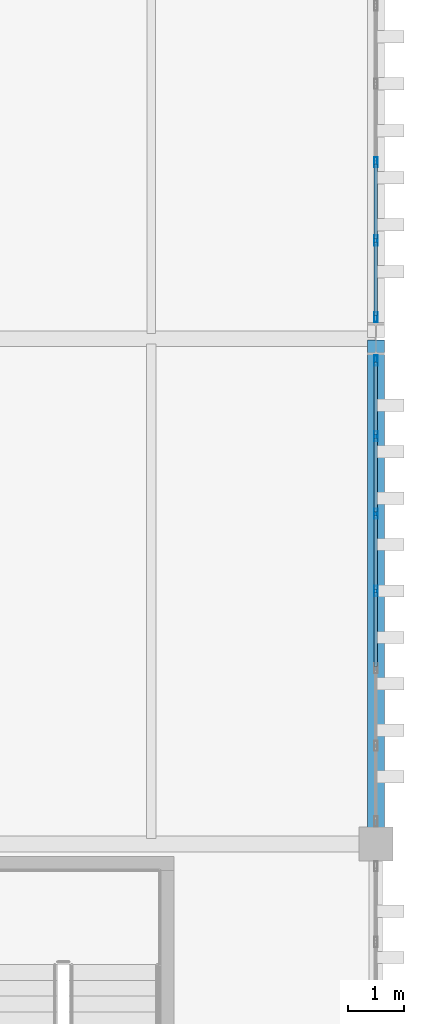
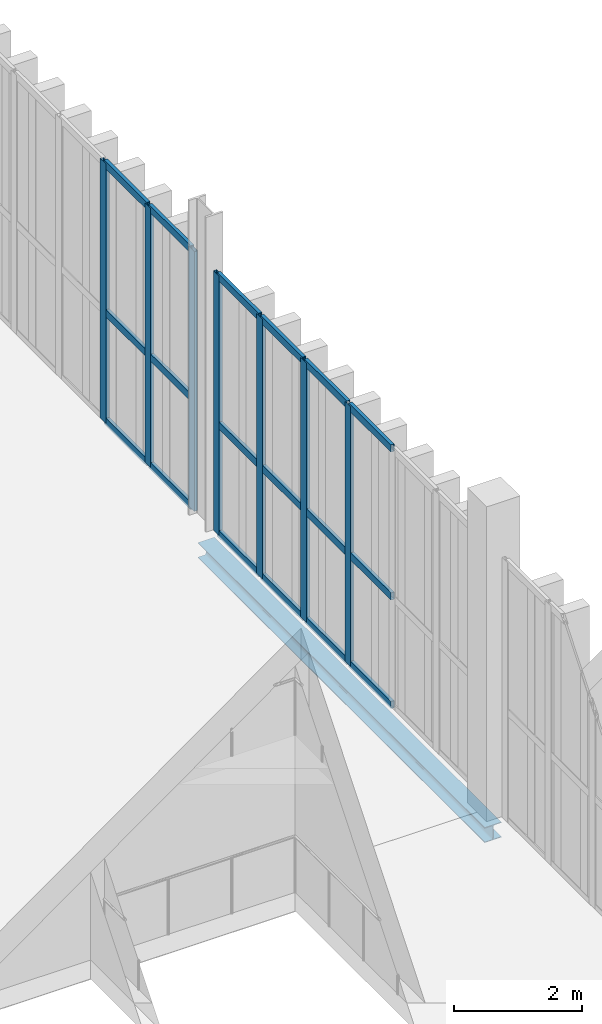
# One storey, part 131 of 211: 25 members, 1 beam, 2 elements without a shape of their own.
"""IFC4 building model written with IfcOpenShell, lengths in metres."""

from ifc_helpers import new_model, si_unit, direction, frame, origin, origin_2d, place, context, subcontext, project, spatial, hollow_rectangle, i_section, extrude, material, layer, layer_set, material_profile, profile_set, type_object, element, aggregate, save


model = new_model("IFC4")

# Units and contexts
model_context = context("Model", 3, precision=1e-05, world=origin(), true_north=direction((0.0, 1.0)))
body_context = subcontext(model_context, "Body", "Model", "MODEL_VIEW")
ifc_project = project(units=[si_unit("LENGTHUNIT", "METRE"), si_unit("AREAUNIT", "SQUARE_METRE"), si_unit("VOLUMEUNIT", "CUBIC_METRE"), si_unit("PLANEANGLEUNIT", "RADIAN"), si_unit("MASSUNIT", "GRAM", prefix="KILO")], contexts=[model_context])

# Site, building, storey
site_placement = place(None, origin())
site = spatial("IfcSite", under=ifc_project, at=site_placement, CompositionType="ELEMENT")
building_placement = place(site_placement, origin())
building = spatial("IfcBuilding", under=site, at=building_placement, Name="Barlavento Convention Centre", CompositionType="ELEMENT")
storey_placement = place(building_placement, frame((0.0, 0.0, 6.0)))
storey = spatial("IfcBuildingStorey", under=building, at=storey_placement, Name="L01", CompositionType="ELEMENT", Elevation=6.0)

# Curtain wall, members
ifc_material_1 = material(Name="Powder-coated aluminium and Low-E glass", Category="aluminium")
ifc_layer = layer(ifc_material_1, 0.195068359375)
ifc_layer_set = layer_set([ifc_layer], Name="ARC-CW-FOY-L01")
curtain_wall_type = type_object("IfcCurtainWallType", Name="ARC-CW-FOY-L01", PredefinedType="NOTDEFINED", material=ifc_layer_set)
curtain_wall_1_placement = place(storey_placement, origin())
curtain_wall_1 = element("IfcCurtainWall", 1, at=curtain_wall_1_placement, inside=storey, type_object=curtain_wall_type, Name="L01 unitised curtain wall CW03", PredefinedType="NOTDEFINED")
ifc_material_2 = material(Name="Powder-coated aluminium", Category="aluminium")
ifc_material_profile_1 = material_profile(ifc_material_2, hollow_rectangle(XDim=0.06005859375, YDim=0.179931640625, WallThickness=0.0048828125, at=origin_2d()), Name="AL-MULL 60x180x5")
ifc_profile_set_1 = profile_set([ifc_material_profile_1], Name="Powder-coated aluminium")
member_type_1 = type_object("IfcMemberType", Name="ARC-CWM-60X180", PredefinedType="MULLION", material=ifc_profile_set_1)
member_1_placement = place(storey_placement, frame((192.0, 103.507080078125, 0.0), z_axis=(0.0, 0.0, 1.0), x_axis=(-1.0, 0.0, 0.0)))
member_1 = element("IfcMember", 2, at=member_1_placement, type_object=member_type_1, Name="CW03 mullion 4", PredefinedType="MULLION", context=body_context, shape_type="SweptSolid", body=[
    extrude(hollow_rectangle(XDim=0.06005859375, YDim=0.179931640625, WallThickness=0.0048828125, at=origin_2d()), origin(), (0.0, 0.0, 1.0), 4.949951171875),
])
member_2_placement = place(storey_placement, frame((192.0, 104.885986328125, 0.0), z_axis=(0.0, 0.0, 1.0), x_axis=(-1.0, 0.0, 0.0)))
member_2 = element("IfcMember", 3, at=member_2_placement, type_object=member_type_1, Name="CW03 mullion 5", PredefinedType="MULLION", context=body_context, shape_type="SweptSolid", body=[
    extrude(hollow_rectangle(XDim=0.06005859375, YDim=0.179931640625, WallThickness=0.0048828125, at=origin_2d()), origin(), (0.0, 0.0, 1.0), 4.949951171875),
])
member_3_placement = place(storey_placement, frame((192.0, 106.264892578125, 0.0), z_axis=(0.0, 0.0, 1.0), x_axis=(-1.0, 0.0, 0.0)))
member_3 = element("IfcMember", 4, at=member_3_placement, type_object=member_type_1, Name="CW03 mullion 6", PredefinedType="MULLION", context=body_context, shape_type="SweptSolid", body=[
    extrude(hollow_rectangle(XDim=0.06005859375, YDim=0.179931640625, WallThickness=0.0048828125, at=origin_2d()), origin(), (0.0, 0.0, 1.0), 4.949951171875),
])
member_4_placement = place(storey_placement, frame((192.0, 107.614013671875, 0.0), z_axis=(0.0, 0.0, 1.0), x_axis=(-1.0, 0.0, 0.0)))
member_4 = element("IfcMember", 5, at=member_4_placement, type_object=member_type_1, Name="CW03 mullion 7", PredefinedType="MULLION", context=body_context, shape_type="SweptSolid", body=[
    extrude(hollow_rectangle(XDim=0.06005859375, YDim=0.179931640625, WallThickness=0.0048828125, at=origin_2d()), origin(), (0.0, 0.0, 1.0), 4.949951171875),
])

curtain_wall_2_placement = place(storey_placement, origin())
curtain_wall_2 = element("IfcCurtainWall", 6, at=curtain_wall_2_placement, inside=storey, type_object=curtain_wall_type, Name="L01 unitised curtain wall CW03", PredefinedType="NOTDEFINED")
member_5_placement = place(storey_placement, frame((192.0, 108.385986328125, 0.0), z_axis=(0.0, 0.0, 1.0), x_axis=(-1.0, 0.0, 0.0)))
member_5 = element("IfcMember", 7, at=member_5_placement, type_object=member_type_1, Name="CW03 mullion 1", PredefinedType="MULLION", context=body_context, shape_type="SweptSolid", body=[
    extrude(hollow_rectangle(XDim=0.06005859375, YDim=0.179931640625, WallThickness=0.0048828125, at=origin_2d()), origin(), (0.0, 0.0, 1.0), 4.949951171875),
])
member_6_placement = place(storey_placement, frame((192.0, 109.751220703125, 0.0), z_axis=(0.0, 0.0, 1.0), x_axis=(-1.0, 0.0, 0.0)))
member_6 = element("IfcMember", 8, at=member_6_placement, type_object=member_type_1, Name="CW03 mullion 2", PredefinedType="MULLION", context=body_context, shape_type="SweptSolid", body=[
    extrude(hollow_rectangle(XDim=0.06005859375, YDim=0.179931640625, WallThickness=0.0048828125, at=origin_2d()), origin(), (0.0, 0.0, 1.0), 4.949951171875),
])
member_7_placement = place(storey_placement, frame((192.0, 111.146240234375, 0.0), z_axis=(0.0, 0.0, 1.0), x_axis=(-1.0, 0.0, 0.0)))
member_7 = element("IfcMember", 9, at=member_7_placement, type_object=member_type_1, Name="CW03 mullion 3", PredefinedType="MULLION", context=body_context, shape_type="SweptSolid", body=[
    extrude(hollow_rectangle(XDim=0.06005859375, YDim=0.179931640625, WallThickness=0.0048828125, at=origin_2d()), origin(), (0.0, 0.0, 1.0), 4.949951171875),
])

# Member
ifc_material_profile_2 = material_profile(ifc_material_2, hollow_rectangle(XDim=0.06005859375, YDim=0.139892578125, WallThickness=0.00390625, at=origin_2d()), Name="AL-TRAN 60x140x4")
ifc_profile_set_2 = profile_set([ifc_material_profile_2], Name="Powder-coated aluminium")
member_type_2 = type_object("IfcMemberType", Name="ARC-CWT-60X140", PredefinedType="USERDEFINED", material=ifc_profile_set_2)
member_8_placement = place(storey_placement, frame((192.0, 102.157958984375, 0.030029296875), z_axis=(0.0, 1.0, 0.0), x_axis=(-1.0, 0.0, 0.0)))
member_8 = element("IfcMember", 10, at=member_8_placement, type_object=member_type_2, Name="CW03 transom 3.1", ObjectType="TRANSOM", PredefinedType="USERDEFINED", context=body_context, shape_type="SweptSolid", body=[
    extrude(hollow_rectangle(XDim=0.06005859375, YDim=0.139892578125, WallThickness=0.00390625, at=origin_2d()), origin(), (0.0, 0.0, 1.0), 1.319091796875),
])

member_9_placement = place(storey_placement, frame((192.0, 102.157958984375, 2.10009765625), z_axis=(0.0, 1.0, 0.0), x_axis=(-1.0, 0.0, 0.0)))
member_9 = element("IfcMember", 11, at=member_9_placement, type_object=member_type_2, Name="CW03 transom 3.2", ObjectType="TRANSOM", PredefinedType="USERDEFINED", context=body_context, shape_type="SweptSolid", body=[
    extrude(hollow_rectangle(XDim=0.06005859375, YDim=0.139892578125, WallThickness=0.00390625, at=origin_2d()), origin(), (0.0, 0.0, 1.0), 1.319091796875),
])

member_10_placement = place(storey_placement, frame((192.0, 102.157958984375, 4.919921875), z_axis=(0.0, 1.0, 0.0), x_axis=(-1.0, 0.0, 0.0)))
member_10 = element("IfcMember", 12, at=member_10_placement, type_object=member_type_2, Name="CW03 transom 3.3", ObjectType="TRANSOM", PredefinedType="USERDEFINED", context=body_context, shape_type="SweptSolid", body=[
    extrude(hollow_rectangle(XDim=0.06005859375, YDim=0.139892578125, WallThickness=0.00390625, at=origin_2d()), origin(), (0.0, 0.0, 1.0), 1.319091796875),
])

member_11_placement = place(storey_placement, frame((192.0, 103.537109375, 0.030029296875), z_axis=(0.0, 1.0, 0.0), x_axis=(-1.0, 0.0, 0.0)))
member_11 = element("IfcMember", 13, at=member_11_placement, type_object=member_type_2, Name="CW03 transom 4.1", ObjectType="TRANSOM", PredefinedType="USERDEFINED", context=body_context, shape_type="SweptSolid", body=[
    extrude(hollow_rectangle(XDim=0.06005859375, YDim=0.139892578125, WallThickness=0.00390625, at=origin_2d()), origin(), (0.0, 0.0, 1.0), 1.31884765625),
])

member_12_placement = place(storey_placement, frame((192.0, 103.537109375, 2.10009765625), z_axis=(0.0, 1.0, 0.0), x_axis=(-1.0, 0.0, 0.0)))
member_12 = element("IfcMember", 14, at=member_12_placement, type_object=member_type_2, Name="CW03 transom 4.2", ObjectType="TRANSOM", PredefinedType="USERDEFINED", context=body_context, shape_type="SweptSolid", body=[
    extrude(hollow_rectangle(XDim=0.06005859375, YDim=0.139892578125, WallThickness=0.00390625, at=origin_2d()), origin(), (0.0, 0.0, 1.0), 1.31884765625),
])

member_13_placement = place(storey_placement, frame((192.0, 103.537109375, 4.919921875), z_axis=(0.0, 1.0, 0.0), x_axis=(-1.0, 0.0, 0.0)))
member_13 = element("IfcMember", 15, at=member_13_placement, type_object=member_type_2, Name="CW03 transom 4.3", ObjectType="TRANSOM", PredefinedType="USERDEFINED", context=body_context, shape_type="SweptSolid", body=[
    extrude(hollow_rectangle(XDim=0.06005859375, YDim=0.139892578125, WallThickness=0.00390625, at=origin_2d()), origin(), (0.0, 0.0, 1.0), 1.31884765625),
])

member_14_placement = place(storey_placement, frame((192.0, 104.916015625, 0.030029296875), z_axis=(0.0, 1.0, 0.0), x_axis=(-1.0, 0.0, 0.0)))
member_14 = element("IfcMember", 16, at=member_14_placement, type_object=member_type_2, Name="CW03 transom 5.1", ObjectType="TRANSOM", PredefinedType="USERDEFINED", context=body_context, shape_type="SweptSolid", body=[
    extrude(hollow_rectangle(XDim=0.06005859375, YDim=0.139892578125, WallThickness=0.00390625, at=origin_2d()), origin(), (0.0, 0.0, 1.0), 1.319091796875),
])

member_15_placement = place(storey_placement, frame((192.0, 104.916015625, 2.10009765625), z_axis=(0.0, 1.0, 0.0), x_axis=(-1.0, 0.0, 0.0)))
member_15 = element("IfcMember", 17, at=member_15_placement, type_object=member_type_2, Name="CW03 transom 5.2", ObjectType="TRANSOM", PredefinedType="USERDEFINED", context=body_context, shape_type="SweptSolid", body=[
    extrude(hollow_rectangle(XDim=0.06005859375, YDim=0.139892578125, WallThickness=0.00390625, at=origin_2d()), origin(), (0.0, 0.0, 1.0), 1.319091796875),
])

member_16_placement = place(storey_placement, frame((192.0, 104.916015625, 4.919921875), z_axis=(0.0, 1.0, 0.0), x_axis=(-1.0, 0.0, 0.0)))
member_16 = element("IfcMember", 18, at=member_16_placement, type_object=member_type_2, Name="CW03 transom 5.3", ObjectType="TRANSOM", PredefinedType="USERDEFINED", context=body_context, shape_type="SweptSolid", body=[
    extrude(hollow_rectangle(XDim=0.06005859375, YDim=0.139892578125, WallThickness=0.00390625, at=origin_2d()), origin(), (0.0, 0.0, 1.0), 1.319091796875),
])

member_17_placement = place(storey_placement, frame((192.0, 106.294921875, 0.030029296875), z_axis=(0.0, 1.0, 0.0), x_axis=(-1.0, 0.0, 0.0)))
member_17 = element("IfcMember", 19, at=member_17_placement, type_object=member_type_2, Name="CW03 transom 6.1", ObjectType="TRANSOM", PredefinedType="USERDEFINED", context=body_context, shape_type="SweptSolid", body=[
    extrude(hollow_rectangle(XDim=0.06005859375, YDim=0.139892578125, WallThickness=0.00390625, at=origin_2d()), origin(), (0.0, 0.0, 1.0), 1.2890625),
])

member_18_placement = place(storey_placement, frame((192.0, 106.294921875, 2.10009765625), z_axis=(0.0, 1.0, 0.0), x_axis=(-1.0, 0.0, 0.0)))
member_18 = element("IfcMember", 20, at=member_18_placement, type_object=member_type_2, Name="CW03 transom 6.2", ObjectType="TRANSOM", PredefinedType="USERDEFINED", context=body_context, shape_type="SweptSolid", body=[
    extrude(hollow_rectangle(XDim=0.06005859375, YDim=0.139892578125, WallThickness=0.00390625, at=origin_2d()), origin(), (0.0, 0.0, 1.0), 1.2890625),
])

member_19_placement = place(storey_placement, frame((192.0, 106.294921875, 4.919921875), z_axis=(0.0, 1.0, 0.0), x_axis=(-1.0, 0.0, 0.0)))
member_19 = element("IfcMember", 21, at=member_19_placement, type_object=member_type_2, Name="CW03 transom 6.3", ObjectType="TRANSOM", PredefinedType="USERDEFINED", context=body_context, shape_type="SweptSolid", body=[
    extrude(hollow_rectangle(XDim=0.06005859375, YDim=0.139892578125, WallThickness=0.00390625, at=origin_2d()), origin(), (0.0, 0.0, 1.0), 1.2890625),
])

aggregate(curtain_wall_1, [member_1, member_2, member_3, member_4, member_8, member_9, member_10, member_11, member_12, member_13, member_14, member_15, member_16, member_17, member_18, member_19])

member_20_placement = place(storey_placement, frame((192.0, 108.416015625, 0.030029296875), z_axis=(0.0, 1.0, 0.0), x_axis=(-1.0, 0.0, 0.0)))
member_20 = element("IfcMember", 22, at=member_20_placement, type_object=member_type_2, Name="CW03 transom 1.1", ObjectType="TRANSOM", PredefinedType="USERDEFINED", context=body_context, shape_type="SweptSolid", body=[
    extrude(hollow_rectangle(XDim=0.06005859375, YDim=0.139892578125, WallThickness=0.00390625, at=origin_2d()), origin(), (0.0, 0.0, 1.0), 1.30517578125),
])

member_21_placement = place(storey_placement, frame((192.0, 108.416015625, 2.10009765625), z_axis=(0.0, 1.0, 0.0), x_axis=(-1.0, 0.0, 0.0)))
member_21 = element("IfcMember", 23, at=member_21_placement, type_object=member_type_2, Name="CW03 transom 1.2", ObjectType="TRANSOM", PredefinedType="USERDEFINED", context=body_context, shape_type="SweptSolid", body=[
    extrude(hollow_rectangle(XDim=0.06005859375, YDim=0.139892578125, WallThickness=0.00390625, at=origin_2d()), origin(), (0.0, 0.0, 1.0), 1.30517578125),
])

member_22_placement = place(storey_placement, frame((192.0, 108.416015625, 4.919921875), z_axis=(0.0, 1.0, 0.0), x_axis=(-1.0, 0.0, 0.0)))
member_22 = element("IfcMember", 24, at=member_22_placement, type_object=member_type_2, Name="CW03 transom 1.3", ObjectType="TRANSOM", PredefinedType="USERDEFINED", context=body_context, shape_type="SweptSolid", body=[
    extrude(hollow_rectangle(XDim=0.06005859375, YDim=0.139892578125, WallThickness=0.00390625, at=origin_2d()), origin(), (0.0, 0.0, 1.0), 1.30517578125),
])

member_23_placement = place(storey_placement, frame((192.0, 109.78125, 0.030029296875), z_axis=(0.0, 1.0, 0.0), x_axis=(-1.0, 0.0, 0.0)))
member_23 = element("IfcMember", 25, at=member_23_placement, type_object=member_type_2, Name="CW03 transom 2.1", ObjectType="TRANSOM", PredefinedType="USERDEFINED", context=body_context, shape_type="SweptSolid", body=[
    extrude(hollow_rectangle(XDim=0.06005859375, YDim=0.139892578125, WallThickness=0.00390625, at=origin_2d()), origin(), (0.0, 0.0, 1.0), 1.3349609375),
])

member_24_placement = place(storey_placement, frame((192.0, 109.78125, 2.10009765625), z_axis=(0.0, 1.0, 0.0), x_axis=(-1.0, 0.0, 0.0)))
member_24 = element("IfcMember", 26, at=member_24_placement, type_object=member_type_2, Name="CW03 transom 2.2", ObjectType="TRANSOM", PredefinedType="USERDEFINED", context=body_context, shape_type="SweptSolid", body=[
    extrude(hollow_rectangle(XDim=0.06005859375, YDim=0.139892578125, WallThickness=0.00390625, at=origin_2d()), origin(), (0.0, 0.0, 1.0), 1.3349609375),
])

member_25_placement = place(storey_placement, frame((192.0, 109.78125, 4.919921875), z_axis=(0.0, 1.0, 0.0), x_axis=(-1.0, 0.0, 0.0)))
member_25 = element("IfcMember", 27, at=member_25_placement, type_object=member_type_2, Name="CW03 transom 2.3", ObjectType="TRANSOM", PredefinedType="USERDEFINED", context=body_context, shape_type="SweptSolid", body=[
    extrude(hollow_rectangle(XDim=0.06005859375, YDim=0.139892578125, WallThickness=0.00390625, at=origin_2d()), origin(), (0.0, 0.0, 1.0), 1.3349609375),
])

aggregate(curtain_wall_2, [member_5, member_6, member_7, member_20, member_21, member_22, member_23, member_24, member_25])

# Beam
ifc_material_3 = material(Name="Steel S355", Category="steel")
ifc_material_profile_3 = material_profile(ifc_material_3, i_section(OverallWidth=0.300048828125, OverallDepth=0.2900390625, WebThickness=0.008544921875, FlangeThickness=0.013916015625, FilletRadius=0.027099609375, at=origin_2d()), Name="HEA 300")
ifc_profile_set_3 = profile_set([ifc_material_profile_3], Name="Steel S355")
beam_type = type_object("IfcBeamType", Name="STR-BM-SPN-HEA300", PredefinedType="SPANDREL", material=ifc_profile_set_3)
beam_placement = place(storey_placement, frame((192.0, 99.02001953125, -0.5048828125), z_axis=(0.0, 1.0, 0.0), x_axis=(-1.0, 0.0, 0.0)))
element("IfcBeam", 28, at=beam_placement, inside=storey, type_object=beam_type, Name="L01 grid girder SP02", PredefinedType="SPANDREL", context=body_context, shape_type="SweptSolid", body=[
    extrude(i_section(OverallWidth=0.300048828125, OverallDepth=0.2900390625, WebThickness=0.008544921875, FlangeThickness=0.013916015625, FilletRadius=0.027099609375, at=origin_2d()), origin(), (0.0, 0.0, 1.0), 8.9599609375),
])

save(model, "model.ifc")
